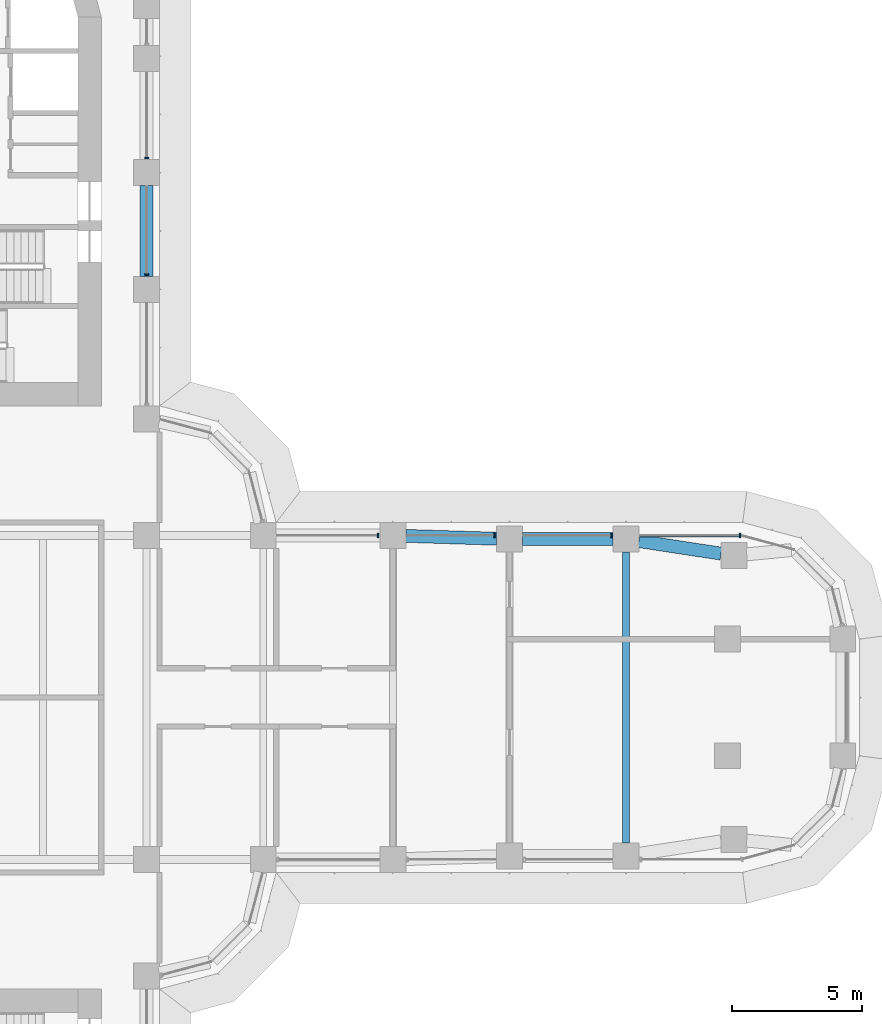
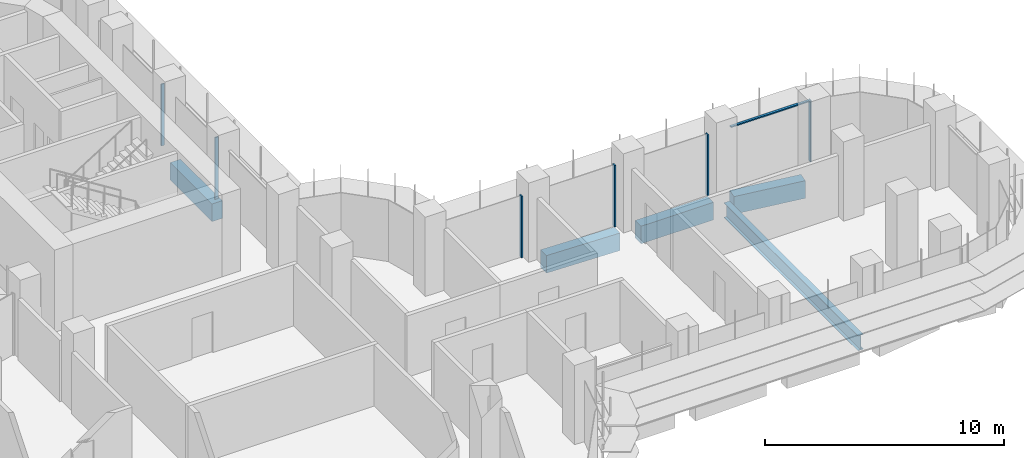
# One storey, part 9 of 23: 7 members, 5 beams, 2 elements without a shape of their own.
"""IFC4 building model written with IfcOpenShell, lengths in metres."""

from ifc_helpers import new_model, si_unit, direction, frame, origin, origin_2d, place, context, subcontext, project, spatial, polyline, rectangle, i_section, outline, extrude, source, transform, mapped, material, material_profile, profile_set, type_object, element, aggregate, save


model = new_model("IFC4")

# Units and contexts
model_context = context("Model", 3, precision=1e-05, world=origin(), true_north=direction((0.0, 1.0)))
body_context = subcontext(model_context, "Body", "Model", "MODEL_VIEW")
ifc_project = project(units=[si_unit("LENGTHUNIT", "METRE"), si_unit("AREAUNIT", "SQUARE_METRE"), si_unit("VOLUMEUNIT", "CUBIC_METRE"), si_unit("PLANEANGLEUNIT", "RADIAN"), si_unit("MASSUNIT", "GRAM", prefix="KILO")], contexts=[model_context])

# Site, building, storey
site_placement = place(None, origin())
site = spatial("IfcSite", under=ifc_project, at=site_placement, CompositionType="ELEMENT")
building_placement = place(site_placement, origin())
building = spatial("IfcBuilding", under=site, at=building_placement, Name="Zarbagh Exchange Tower", CompositionType="ELEMENT")
storey_placement = place(building_placement, frame((0.0, 0.0, 48.0)))
storey = spatial("IfcBuildingStorey", under=building, at=storey_placement, Name="L10", CompositionType="ELEMENT", Elevation=48.0)

# Beams
ifc_material_1 = material(Name="Steel ASTM A992 Gr 50", Category="steel")
ifc_material_profile_1 = material_profile(ifc_material_1, i_section(OverallWidth=0.2666015625, OverallDepth=0.76708984375, WebThickness=0.014892578125, FlangeThickness=0.023681640625, at=origin_2d()), Name="W30X124")
ifc_profile_set_1 = profile_set([ifc_material_profile_1], Name="Steel ASTM A992 Gr 50")
beam_type_1 = type_object("IfcBeamType", Name="Floor beam W30X124", PredefinedType="BEAM", material=ifc_profile_set_1)
beam_1_placement = place(storey_placement, frame((24.75, -5.610107421875, -0.533447265625), z_axis=(0.0, 1.0, 0.0), x_axis=(-1.0, 0.0, 0.0)))
element("IfcBeam", 1, at=beam_1_placement, inside=storey, type_object=beam_type_1, Name="Steel floor beam", PredefinedType="BEAM", context=body_context, shape_type="SweptSolid", body=[
    extrude(i_section(OverallWidth=0.2666015625, OverallDepth=0.76708984375, WebThickness=0.014892578125, FlangeThickness=0.023681640625, at=origin_2d()), origin(), (0.0, 0.0, 1.0), 11.22021484375),
])
ifc_material_2 = material(Name="Concrete C60/75", Category="concrete")
ifc_material_profile_2 = material_profile(ifc_material_2, rectangle(XDim=0.5, YDim=0.89990234375, at=origin_2d()), Name="RC spandrel beam 500 x 900 C60/75")
ifc_profile_set_2 = profile_set([ifc_material_profile_2], Name="Concrete C60/75")
beam_type_2 = type_object("IfcBeamType", Name="RC spandrel beam 500 x 900 C60/75", PredefinedType="SPANDREL", material=ifc_profile_set_2)
beam_2_placement = place(storey_placement, frame((6.25, 19.75, -0.60009765625), z_axis=(0.0, -1.0, 0.0), x_axis=(1.0, 0.0, 0.0)))
element("IfcBeam", 2, at=beam_2_placement, inside=storey, type_object=beam_type_2, Name="RC spandrel beam", PredefinedType="SPANDREL", context=body_context, shape_type="SweptSolid", body=[
    extrude(rectangle(XDim=0.5, YDim=0.89990234375, at=origin_2d()), origin(), (0.0, 0.0, 1.0), 3.5),
])
beam_3_placement = place(storey_placement, frame((16.249755859375, 6.234619140625, -0.60009765625), z_axis=(0.999514385708, -0.031160756759, 0.0), x_axis=(0.031160756759, 0.999514385708, 0.0)))
element("IfcBeam", 3, at=beam_3_placement, inside=storey, type_object=beam_type_2, Name="RC spandrel beam", PredefinedType="SPANDREL", context=body_context, shape_type="SweptSolid", body=[
    extrude(rectangle(XDim=0.5, YDim=0.89990234375, at=origin_2d()), origin(), (0.0, 0.0, 1.0), 3.502197265625),
])
beam_4_placement = place(storey_placement, frame((20.75, 6.110107421875, -0.60009765625), z_axis=(1.0, 0.0, 0.0), x_axis=(0.0, 1.0, 0.0)))
element("IfcBeam", 4, at=beam_4_placement, inside=storey, type_object=beam_type_2, Name="RC spandrel beam", PredefinedType="SPANDREL", context=body_context, shape_type="SweptSolid", body=[
    extrude(rectangle(XDim=0.5, YDim=0.89990234375, at=origin_2d()), origin(), (0.0, 0.0, 1.0), 3.5),
])
beam_5_placement = place(storey_placement, frame((25.244384765625, 6.034423828125, -0.60009765625), z_axis=(0.988545350976, -0.150924116903, 0.0), x_axis=(0.150924116903, 0.988545350976, 0.0)))
element("IfcBeam", 5, at=beam_5_placement, inside=storey, type_object=beam_type_2, Name="RC spandrel beam", PredefinedType="SPANDREL", context=body_context, shape_type="SweptSolid", body=[
    extrude(rectangle(XDim=0.5, YDim=0.89990234375, at=origin_2d()), origin(), (0.0, 0.0, 1.0), 3.2060546875),
])

# Curtain wall, members
ifc_material_3 = material(Name="Anodised aluminium frame and glazing", Category="aluminium")
curtain_wall_type = type_object("IfcCurtainWallType", Name="CWA Ribbon glazing, lower zones", PredefinedType="NOTDEFINED", material=ifc_material_3)
curtain_wall_1_placement = place(storey_placement, origin())
curtain_wall_1 = element("IfcCurtainWall", 6, at=curtain_wall_1_placement, inside=storey, type_object=curtain_wall_type, Name="CWA16 curtain wall", PredefinedType="NOTDEFINED")
ifc_material_4 = material(Name="Anodised aluminium frame", Category="aluminium")
member_type_1 = type_object("IfcMemberType", Name="MUA Mullion, anodised aluminium frame", PredefinedType="MULLION", material=ifc_material_4)
shared_shape_1 = source(origin(), body_context, "Body", "SweptSolid", [
    extrude(outline(polyline([(0.0, -0.080078125), (0.06005859375, -0.080078125), (0.06005859375, 0.080078125), (0.0, 0.080078125), (0.0, -0.080078125)])), origin(), (0.0, 0.0, 1.0), 3.14990234375),
])
placement = place(storey_placement, origin())
member_1 = element("IfcMember", 7, at=placement, type_object=member_type_1, Name="CWA16 mullion 1.1", PredefinedType="MULLION", context=body_context, shape_type="MappedRepresentation", body=[
    mapped(shared_shape_1, transform((29.18408203125, 6.25, 0.0), x_axis=(-1.0, 0.0, 0.0), y_axis=(0.0, -1.0, 0.0), z_axis=(0.0, 0.0, 1.0))),
])
member_2 = element("IfcMember", 8, at=placement, type_object=member_type_1, Name="CWA16 mullion 2.1", PredefinedType="MULLION", context=body_context, shape_type="MappedRepresentation", body=[
    mapped(shared_shape_1, transform((24.2099609375, 6.25, 0.0), x_axis=(-1.0, 0.0, 0.0), y_axis=(0.0, -1.0, 0.0), z_axis=(0.0, 0.0, 1.0))),
])
member_3 = element("IfcMember", 9, at=placement, type_object=member_type_1, Name="CWA16 mullion 3.1", PredefinedType="MULLION", context=body_context, shape_type="MappedRepresentation", body=[
    mapped(shared_shape_1, transform((19.7099609375, 6.25, 0.0), x_axis=(-1.0, 0.0, 0.0), y_axis=(0.0, -1.0, 0.0), z_axis=(0.0, 0.0, 1.0))),
])
member_4 = element("IfcMember", 10, at=placement, type_object=member_type_1, Name="CWA16 mullion 4.1", PredefinedType="MULLION", context=body_context, shape_type="MappedRepresentation", body=[
    mapped(shared_shape_1, transform((15.2099609375, 6.25, 0.0), x_axis=(-1.0, 0.0, 0.0), y_axis=(0.0, -1.0, 0.0), z_axis=(0.0, 0.0, 1.0))),
])

curtain_wall_2_placement = place(storey_placement, origin())
curtain_wall_2 = element("IfcCurtainWall", 11, at=curtain_wall_2_placement, inside=storey, type_object=curtain_wall_type, Name="CWA20 curtain wall", PredefinedType="NOTDEFINED")
member_5 = element("IfcMember", 12, at=placement, type_object=member_type_1, Name="CWA20 mullion 2.1", PredefinedType="MULLION", context=body_context, shape_type="MappedRepresentation", body=[
    mapped(shared_shape_1, transform((6.25, 16.2900390625, 0.0), x_axis=(0.0, 1.0, 0.0), y_axis=(-1.0, 0.0, 0.0), z_axis=(0.0, 0.0, 1.0))),
])
member_6 = element("IfcMember", 13, at=placement, type_object=member_type_1, Name="CWA20 mullion 3.1", PredefinedType="MULLION", context=body_context, shape_type="MappedRepresentation", body=[
    mapped(shared_shape_1, transform((6.25, 20.7900390625, 0.0), x_axis=(0.0, 1.0, 0.0), y_axis=(-1.0, 0.0, 0.0), z_axis=(0.0, 0.0, 1.0))),
])
aggregate(curtain_wall_2, [member_5, member_6])

# Member
member_type_2 = type_object("IfcMemberType", Name="TRA Transom, anodised aluminium frame", PredefinedType="USERDEFINED", material=ifc_material_4)
shared_shape_2 = source(origin(), body_context, "Body", "SweptSolid", [
    extrude(outline(polyline([(-0.06005859375, -0.06005859375), (0.0, -0.06005859375), (0.0, 0.06005859375), (-0.06005859375, 0.06005859375), (-0.06005859375, -0.06005859375)])), origin(), (0.0, 0.0, 1.0), 3.834228515625),
])
member_7 = element("IfcMember", 14, at=placement, type_object=member_type_2, Name="CWA16 transom 1.1", ObjectType="TRANSOM", PredefinedType="USERDEFINED", context=body_context, shape_type="MappedRepresentation", body=[
    mapped(shared_shape_2, transform((29.124267578125, 6.25, 3.14990234375), x_axis=(0.0, 0.0, 1.0), y_axis=(0.0, 1.0, 0.0), z_axis=(-1.0, 0.0, 0.0))),
])

aggregate(curtain_wall_1, [member_1, member_7, member_2, member_3, member_4])

save(model, "model.ifc")
